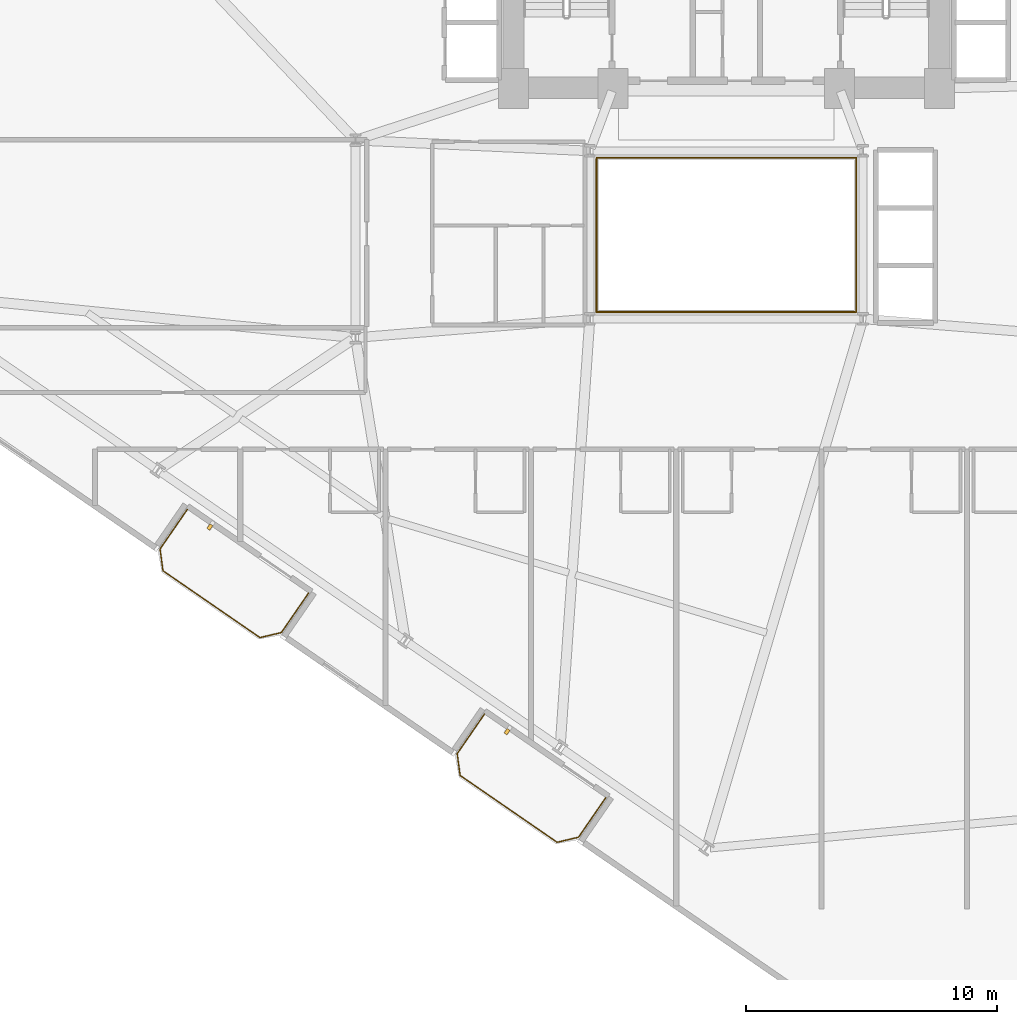
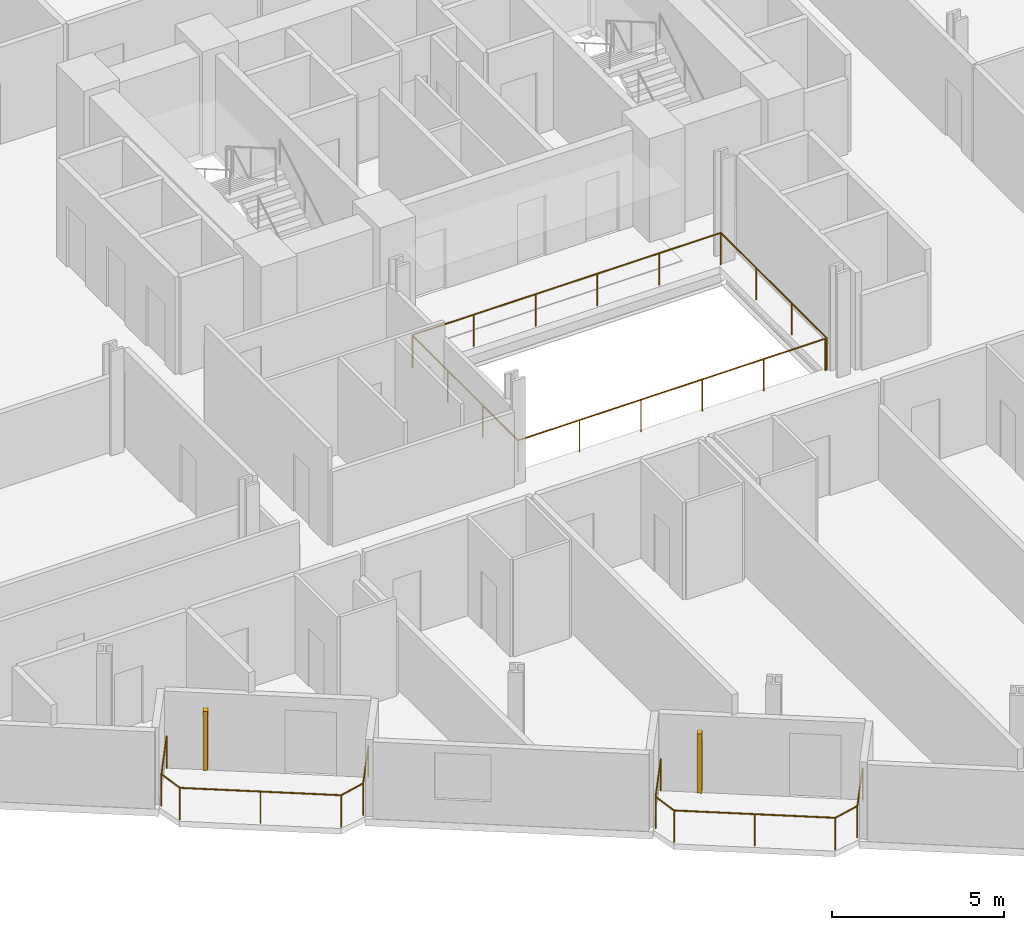
# One storey, part 25 of 27: 4 railings, 2 shading devices.
"""IFC4 building model written with IfcOpenShell, lengths in metres."""

from ifc_helpers import new_model, si_unit, direction, frame, origin, origin_2d, place, context, subcontext, project, spatial, rectangle, circle, extrude, source, transform, mapped, material, type_object, element, save


model = new_model("IFC4")

# Units and contexts
model_context = context("Model", 3, precision=1e-05, world=origin(), true_north=direction((0.0, 1.0)))
body_context = subcontext(model_context, "Body", "Model", "MODEL_VIEW")
ifc_project = project(units=[si_unit("LENGTHUNIT", "METRE"), si_unit("AREAUNIT", "SQUARE_METRE"), si_unit("VOLUMEUNIT", "CUBIC_METRE"), si_unit("PLANEANGLEUNIT", "RADIAN"), si_unit("MASSUNIT", "GRAM", prefix="KILO")], contexts=[model_context])

# Site, building, storey
site_placement = place(None, origin())
site = spatial("IfcSite", under=ifc_project, at=site_placement, CompositionType="ELEMENT")
building_placement = place(site_placement, origin())
building = spatial("IfcBuilding", under=site, at=building_placement, Name="Varnelok Gate Tower", CompositionType="ELEMENT")
storey_placement = place(building_placement, frame((0.0, 0.0, 60.300048828125)))
storey = spatial("IfcBuildingStorey", under=building, at=storey_placement, Name="L14", CompositionType="ELEMENT", Elevation=60.300048828125)

# Railings
ifc_material_1 = material(Name="Tempered Laminated Balustrade Glass", Category="glass")
railing_type_1 = type_object("IfcRailingType", Name="RL-ATR-GUARD1150", PredefinedType="GUARDRAIL", material=ifc_material_1)
railing_1_placement = place(storey_placement, frame((34.02001953125, 25.929931640625, 0.0)))
element("IfcRailing", 1, at=railing_1_placement, inside=storey, type_object=railing_type_1, Name="L14 Internal Atrium South-West Guardrail", PredefinedType="GUARDRAIL", context=body_context, shape_type="SweptSolid", body=[
    extrude(circle(Radius=0.02392578125, at=origin_2d()), frame((0.0, 0.0, 1.1259765625), z_axis=(0.0, -1.0, 0.0), x_axis=(1.0, 0.0, 0.0)), (0.0, 0.0, 1.0), 6.10986328125),
    extrude(circle(Radius=0.02392578125, at=origin_2d()), frame((0.0, -6.10986328125, 1.1259765625), z_axis=(1.0, 0.0, 0.0), x_axis=(0.0, 1.0, 0.0)), (0.0, 0.0, 1.0), 10.31005859375),
    extrude(circle(Radius=0.02099609375, at=origin_2d()), origin(), (0.0, 0.0, 1.0), 1.101806640625),
    extrude(circle(Radius=0.02099609375, at=origin_2d()), frame((0.0, -2.03662109375, 0.0)), (0.0, 0.0, 1.0), 1.101806640625),
    extrude(circle(Radius=0.02099609375, at=origin_2d()), frame((0.0, -4.0732421875, 0.0)), (0.0, 0.0, 1.0), 1.101806640625),
    extrude(circle(Radius=0.02099609375, at=origin_2d()), frame((0.0, -6.10986328125, 0.0)), (0.0, 0.0, 1.0), 1.101806640625),
    extrude(circle(Radius=0.02099609375, at=origin_2d()), frame((2.06201171875, -6.10986328125, 0.0)), (0.0, 0.0, 1.0), 1.101806640625),
    extrude(circle(Radius=0.02099609375, at=origin_2d()), frame((4.1240234375, -6.10986328125, 0.0)), (0.0, 0.0, 1.0), 1.101806640625),
    extrude(circle(Radius=0.02099609375, at=origin_2d()), frame((6.18603515625, -6.10986328125, 0.0)), (0.0, 0.0, 1.0), 1.101806640625),
    extrude(circle(Radius=0.02099609375, at=origin_2d()), frame((8.248046875, -6.10986328125, 0.0)), (0.0, 0.0, 1.0), 1.101806640625),
    extrude(circle(Radius=0.02099609375, at=origin_2d()), frame((10.31005859375, -6.10986328125, 0.0)), (0.0, 0.0, 1.0), 1.101806640625),
])
railing_2_placement = place(storey_placement, frame((44.3798828125, 19.820068359375, 0.0)))
element("IfcRailing", 2, at=railing_2_placement, inside=storey, type_object=railing_type_1, Name="L14 Internal Atrium North-East Guardrail", PredefinedType="GUARDRAIL", context=body_context, shape_type="SweptSolid", body=[
    extrude(circle(Radius=0.02392578125, at=origin_2d()), frame((0.0, 0.0, 1.1259765625), z_axis=(0.0, 1.0, 0.0), x_axis=(-1.0, 0.0, 0.0)), (0.0, 0.0, 1.0), 6.159912109375),
    extrude(circle(Radius=0.02392578125, at=origin_2d()), frame((0.0, 6.159912109375, 1.1259765625), z_axis=(-1.0, 0.0, 0.0), x_axis=(0.0, -1.0, 0.0)), (0.0, 0.0, 1.0), 10.35986328125),
    extrude(circle(Radius=0.02099609375, at=origin_2d()), origin(), (0.0, 0.0, 1.0), 1.101806640625),
    extrude(circle(Radius=0.02099609375, at=origin_2d()), frame((0.0, 2.05322265625, 0.0)), (0.0, 0.0, 1.0), 1.101806640625),
    extrude(circle(Radius=0.02099609375, at=origin_2d()), frame((0.0, 4.106689453125, 0.0)), (0.0, 0.0, 1.0), 1.101806640625),
    extrude(circle(Radius=0.02099609375, at=origin_2d()), frame((0.0, 6.159912109375, 0.0)), (0.0, 0.0, 1.0), 1.101806640625),
    extrude(circle(Radius=0.02099609375, at=origin_2d()), frame((-2.072021484375, 6.159912109375, 0.0)), (0.0, 0.0, 1.0), 1.101806640625),
    extrude(circle(Radius=0.02099609375, at=origin_2d()), frame((-4.14404296875, 6.159912109375, 0.0)), (0.0, 0.0, 1.0), 1.101806640625),
    extrude(circle(Radius=0.02099609375, at=origin_2d()), frame((-6.2158203125, 6.159912109375, 0.0)), (0.0, 0.0, 1.0), 1.101806640625),
    extrude(circle(Radius=0.02099609375, at=origin_2d()), frame((-8.287841796875, 6.159912109375, 0.0)), (0.0, 0.0, 1.0), 1.101806640625),
    extrude(circle(Radius=0.02099609375, at=origin_2d()), frame((-10.35986328125, 6.159912109375, 0.0)), (0.0, 0.0, 1.0), 1.101806640625),
])
ifc_material_2 = material(Name="Low-E Laminated Double Glazing IGU", Category="glass")
railing_type_2 = type_object("IfcRailingType", Name="RL-BALC-1150", PredefinedType="BALUSTRADE", material=ifc_material_2)
railing_3_placement = place(storey_placement, frame((17.688720703125, 11.9462890625, 0.0)))
element("IfcRailing", 3, at=railing_3_placement, inside=storey, type_object=railing_type_2, Name="L14 South Terrace Balustrade 1", PredefinedType="BALUSTRADE", context=body_context, shape_type="SweptSolid", body=[
    extrude(circle(Radius=0.02392578125, at=origin_2d()), frame((0.0, 0.0, 1.1259765625), z_axis=(-0.567224752248, -0.823563039747, 0.0), x_axis=(0.823563039747, -0.567224752248, 0.0)), (0.0, 0.0, 1.0), 1.920166015625),
    extrude(circle(Radius=0.02392578125, at=origin_2d()), frame((-1.089111328125, -1.581298828125, 1.1259765625), z_axis=(0.133511834152, -0.991047218926, 0.0), x_axis=(0.991047218926, 0.133511834152, 0.0)), (0.0, 0.0, 1.0), 0.877685546875),
    extrude(circle(Radius=0.02392578125, at=origin_2d()), frame((-0.971923828125, -2.451171875, 1.1259765625), z_axis=(0.823523239622, -0.567282534371, 0.0), x_axis=(0.567282534371, 0.823523239622, 0.0)), (0.0, 0.0, 1.0), 4.699951171875),
    extrude(circle(Radius=0.02392578125, at=origin_2d()), frame((2.898681640625, -5.117431640625, 1.1259765625), z_axis=(0.973573806257, 0.228372598553, 0.0), x_axis=(-0.228372598553, 0.973573806257, 0.0)), (0.0, 0.0, 1.0), 0.877685546875),
    extrude(circle(Radius=0.02392578125, at=origin_2d()), frame((3.753173828125, -4.9169921875, 1.1259765625), z_axis=(0.567224752248, 0.823563039747, 0.0), x_axis=(-0.823563039747, 0.567224752248, 0.0)), (0.0, 0.0, 1.0), 1.920166015625),
    extrude(circle(Radius=0.02099609375, at=origin_2d()), origin(), (0.0, 0.0, 1.0), 1.101806640625),
    extrude(circle(Radius=0.02099609375, at=origin_2d()), frame((-1.089111328125, -1.581298828125, 0.0)), (0.0, 0.0, 1.0), 1.101806640625),
    extrude(circle(Radius=0.02099609375, at=origin_2d()), frame((-0.971923828125, -2.451171875, 0.0)), (0.0, 0.0, 1.0), 1.101806640625),
    extrude(circle(Radius=0.02099609375, at=origin_2d()), frame((0.96337890625, -3.7841796875, 0.0)), (0.0, 0.0, 1.0), 1.101806640625),
    extrude(circle(Radius=0.02099609375, at=origin_2d()), frame((2.898681640625, -5.117431640625, 0.0)), (0.0, 0.0, 1.0), 1.101806640625),
    extrude(circle(Radius=0.02099609375, at=origin_2d()), frame((3.753173828125, -4.9169921875, 0.0)), (0.0, 0.0, 1.0), 1.101806640625),
    extrude(circle(Radius=0.02099609375, at=origin_2d()), frame((4.84228515625, -3.335693359375, 0.0)), (0.0, 0.0, 1.0), 1.101806640625),
])
railing_4_placement = place(storey_placement, frame((29.547607421875, 3.777587890625, 0.0)))
element("IfcRailing", 4, at=railing_4_placement, inside=storey, type_object=railing_type_2, Name="L14 South Terrace Balustrade 2", PredefinedType="BALUSTRADE", context=body_context, shape_type="SweptSolid", body=[
    extrude(circle(Radius=0.02392578125, at=origin_2d()), frame((0.0, 0.0, 1.1259765625), z_axis=(-0.567224752248, -0.823563039747, 0.0), x_axis=(0.823563039747, -0.567224752248, 0.0)), (0.0, 0.0, 1.0), 1.920166015625),
    extrude(circle(Radius=0.02392578125, at=origin_2d()), frame((-1.089111328125, -1.581298828125, 1.1259765625), z_axis=(0.133511834152, -0.991047218926, 0.0), x_axis=(0.991047218926, 0.133511834152, 0.0)), (0.0, 0.0, 1.0), 0.877685546875),
    extrude(circle(Radius=0.02392578125, at=origin_2d()), frame((-0.971923828125, -2.451171875, 1.1259765625), z_axis=(0.823523239622, -0.567282534371, 0.0), x_axis=(0.567282534371, 0.823523239622, 0.0)), (0.0, 0.0, 1.0), 4.699951171875),
    extrude(circle(Radius=0.02392578125, at=origin_2d()), frame((2.898681640625, -5.117431640625, 1.1259765625), z_axis=(0.973511928193, 0.228636229993, 0.0), x_axis=(-0.228636229993, 0.973511928193, 0.0)), (0.0, 0.0, 1.0), 0.877685546875),
    extrude(circle(Radius=0.02392578125, at=origin_2d()), frame((3.753173828125, -4.916748046875, 1.1259765625), z_axis=(0.567284155424, 0.82352212296, 0.0), x_axis=(-0.82352212296, 0.567284155424, 0.0)), (0.0, 0.0, 1.0), 1.919921875),
    extrude(circle(Radius=0.02099609375, at=origin_2d()), origin(), (0.0, 0.0, 1.0), 1.101806640625),
    extrude(circle(Radius=0.02099609375, at=origin_2d()), frame((-1.089111328125, -1.581298828125, 0.0)), (0.0, 0.0, 1.0), 1.101806640625),
    extrude(circle(Radius=0.02099609375, at=origin_2d()), frame((-0.971923828125, -2.451171875, 0.0)), (0.0, 0.0, 1.0), 1.101806640625),
    extrude(circle(Radius=0.02099609375, at=origin_2d()), frame((0.96337890625, -3.7841796875, 0.0)), (0.0, 0.0, 1.0), 1.101806640625),
    extrude(circle(Radius=0.02099609375, at=origin_2d()), frame((2.898681640625, -5.117431640625, 0.0)), (0.0, 0.0, 1.0), 1.101806640625),
    extrude(circle(Radius=0.02099609375, at=origin_2d()), frame((3.753173828125, -4.916748046875, 0.0)), (0.0, 0.0, 1.0), 1.101806640625),
    extrude(circle(Radius=0.02099609375, at=origin_2d()), frame((4.84228515625, -3.335693359375, 0.0)), (0.0, 0.0, 1.0), 1.101806640625),
])

# Shading devices
ifc_material_3 = material(Name="Glazed Architectural Terracotta Ceramic", Category="masonry")
shading_device_type = type_object("IfcShadingDeviceType", Name="SHD-TERRA-BAGUETTE", PredefinedType="USERDEFINED", material=ifc_material_3)
shared_shape = source(origin(), body_context, "Body", "SweptSolid", [
    extrude(rectangle(XDim=0.139892578125, YDim=0.219970703125, at=origin_2d()), origin(), (0.0, 0.0, 1.0), 2.10009765625),
])
for number, where, z_axis, x_axis, name in (
    (5, (18.587890625, 11.24169921875, 0.099853515625), (0.0, 0.0, 1.0), (0.823532597628, -0.567268949127, 0.0), "L14 Terracotta Ceramic Baguette Sunscreen 1.1"),
    (6, (30.44677734375, 3.072998046875, 0.099853515625), (0.0, 0.0, 1.0), (0.823532597628, -0.567268949127, 0.0), "L14 Terracotta Ceramic Baguette Sunscreen 2.1"),
):
    element("IfcShadingDevice", number, at=place(storey_placement, frame(where, z_axis=z_axis, x_axis=x_axis)), inside=storey, type_object=shading_device_type, Name=name, ObjectType="BAGUETTE", PredefinedType="USERDEFINED", context=body_context, shape_type="MappedRepresentation", body=[
        mapped(shared_shape, transform((0.0, 0.0, 0.0), scale=1.0)),
    ])

save(model, "model.ifc")
